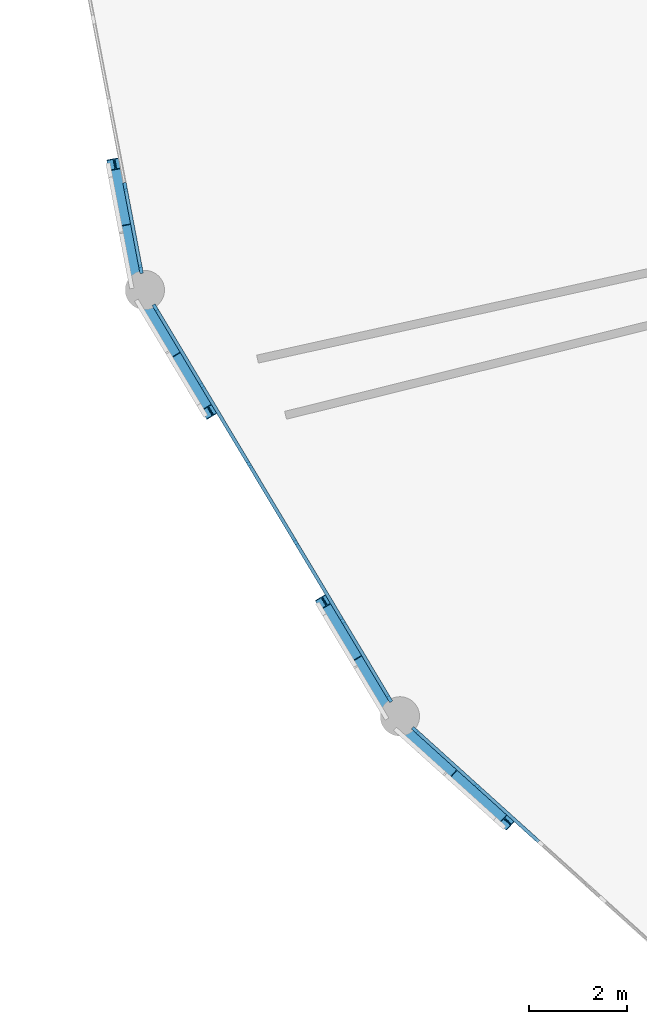
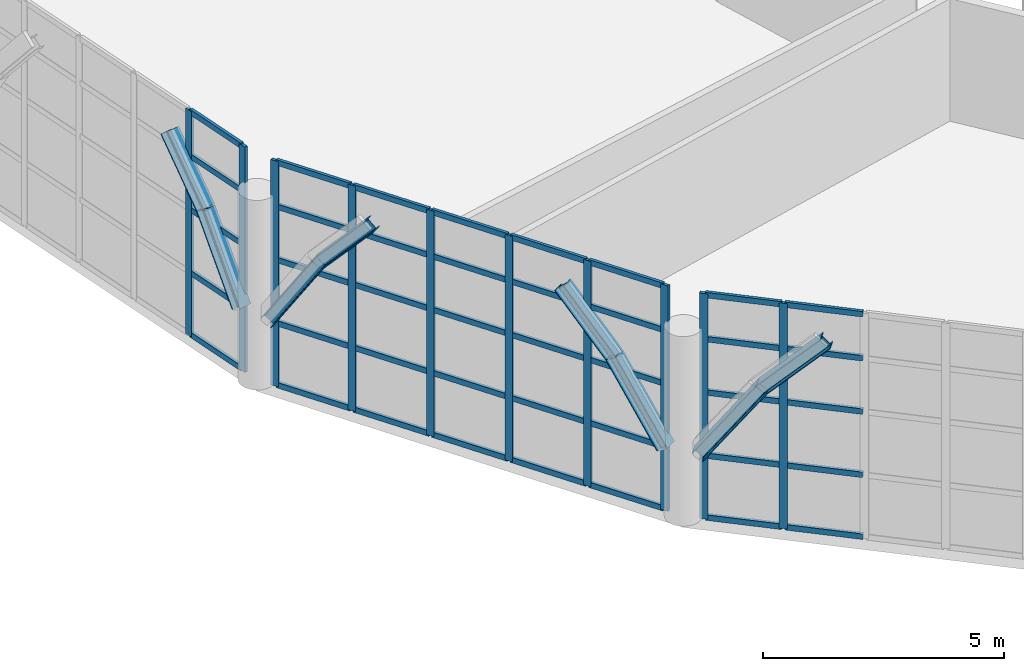
# One storey, part 34 of 109: 50 members, 8 beams, 3 elements without a shape of their own.
"""IFC4 building model written with IfcOpenShell, lengths in metres."""

from ifc_helpers import new_model, si_unit, direction, frame, origin, origin_2d, place, context, subcontext, project, spatial, rectangle, i_section, extrude, material, layer, layer_set, material_profile, profile_set, type_object, element, aggregate, save


model = new_model("IFC4")

# Units and contexts
model_context = context("Model", 3, precision=1e-05, world=origin(), true_north=direction((0.0, 1.0)))
body_context = subcontext(model_context, "Body", "Model", "MODEL_VIEW")
ifc_project = project(units=[si_unit("LENGTHUNIT", "METRE"), si_unit("AREAUNIT", "SQUARE_METRE"), si_unit("VOLUMEUNIT", "CUBIC_METRE"), si_unit("PLANEANGLEUNIT", "RADIAN"), si_unit("MASSUNIT", "GRAM", prefix="KILO")], contexts=[model_context])

# Site, building, storey
site_placement = place(None, origin())
site = spatial("IfcSite", under=ifc_project, at=site_placement, CompositionType="ELEMENT")
building_placement = place(site_placement, origin())
building = spatial("IfcBuilding", under=site, at=building_placement, Name="Kivolera Central Railway Station", CompositionType="ELEMENT")
storey_placement = place(building_placement, frame((0.0, 0.0, 9.60009765625)))
storey = spatial("IfcBuildingStorey", under=building, at=storey_placement, Name="L02", CompositionType="ELEMENT", Elevation=9.60009765625)

# Beams
ifc_material_1 = material(Name="Steel S355", Category="steel")
ifc_material_profile_1 = material_profile(ifc_material_1, i_section(OverallWidth=0.300048828125, OverallDepth=0.300048828125, WebThickness=0.010986328125, FlangeThickness=0.01904296875, FilletRadius=0.027099609375, at=origin_2d()), Name="HEB 300")
ifc_profile_set_1 = profile_set([ifc_material_profile_1], Name="Steel S355")
beam_type = type_object("IfcBeamType", Name="BM-LANT-ARCH", PredefinedType="SPANDREL", material=ifc_profile_set_1)
beam_1_placement = place(storey_placement, frame((13.162109375, 83.25, 4.9599609375), z_axis=(0.119952617801, -0.631126846872, -0.766348662581), x_axis=(0.982413455361, 0.186718512004, 0.0)))
element("IfcBeam", 1, at=beam_1_placement, inside=storey, type_object=beam_type, Name="Oval Lantern Structural Arch Rib 13.5", PredefinedType="SPANDREL", context=body_context, shape_type="SweptSolid", body=[
    extrude(i_section(OverallWidth=0.300048828125, OverallDepth=0.300048828125, WebThickness=0.010986328125, FlangeThickness=0.01904296875, FilletRadius=0.027099609375, at=origin_2d()), origin(), (0.0, 0.0, 1.0), 1.77490234375),
])
beam_2_placement = place(storey_placement, frame((13.375, 82.1298828125, 3.599853515625), z_axis=(0.096063916114, -0.505767705137, -0.857304352293), x_axis=(0.982435829995, 0.18660075011, 0.0)))
element("IfcBeam", 2, at=beam_2_placement, inside=storey, type_object=beam_type, Name="Oval Lantern Structural Arch Rib 13.6", PredefinedType="SPANDREL", context=body_context, shape_type="SweptSolid", body=[
    extrude(i_section(OverallWidth=0.300048828125, OverallDepth=0.300048828125, WebThickness=0.010986328125, FlangeThickness=0.01904296875, FilletRadius=0.027099609375, at=origin_2d()), origin(), (0.0, 0.0, 1.0), 2.216064453125),
])
beam_3_placement = place(storey_placement, frame((13.85107421875, 80.31689453125, 1.699951171875), z_axis=(0.277888129069, -0.464587463063, 0.840795264548), x_axis=(0.858196524113, 0.513321269772, 0.0)))
element("IfcBeam", 3, at=beam_3_placement, inside=storey, type_object=beam_type, Name="Oval Lantern Structural Arch Rib 14.1", PredefinedType="SPANDREL", context=body_context, shape_type="SweptSolid", body=[
    extrude(i_section(OverallWidth=0.300048828125, OverallDepth=0.300048828125, WebThickness=0.010986328125, FlangeThickness=0.01904296875, FilletRadius=0.027099609375, at=origin_2d()), origin(), (0.0, 0.0, 1.0), 2.259765625),
])
for number, where, z_axis, x_axis, name in (
    (4, (14.47900390625, 79.26708984375, 3.599853515625), (0.343344267824, -0.573619875132, 0.743690091776), (0.858038634745, 0.513585145116, 0.0), "Oval Lantern Structural Arch Rib 14.2"),
    (5, (17.426025390625, 74.342041015625, 4.9599609375), (0.343344267824, -0.573619875132, -0.743690091776), (0.858038634745, 0.513585145116, 0.0), "Oval Lantern Structural Arch Rib 14.5"),
):
    element("IfcBeam", number, at=place(storey_placement, frame(where, z_axis=z_axis, x_axis=x_axis)), inside=storey, type_object=beam_type, Name=name, PredefinedType="SPANDREL", context=body_context, shape_type="SweptSolid", body=[
        extrude(i_section(OverallWidth=0.300048828125, OverallDepth=0.300048828125, WebThickness=0.010986328125, FlangeThickness=0.01904296875, FilletRadius=0.027099609375, at=origin_2d()), origin(), (0.0, 0.0, 1.0), 1.828857421875),
    ])
beam_4_placement = place(storey_placement, frame((18.053955078125, 73.29296875, 3.599853515625), z_axis=(0.277874179709, -0.464672179987, -0.840753058512), x_axis=(0.858249099835, 0.513233360794, 0.0)))
element("IfcBeam", 6, at=beam_4_placement, inside=storey, type_object=beam_type, Name="Oval Lantern Structural Arch Rib 14.6", PredefinedType="SPANDREL", context=body_context, shape_type="SweptSolid", body=[
    extrude(i_section(OverallWidth=0.300048828125, OverallDepth=0.300048828125, WebThickness=0.010986328125, FlangeThickness=0.01904296875, FilletRadius=0.027099609375, at=origin_2d()), origin(), (0.0, 0.0, 1.0), 2.259765625),
])
beam_5_placement = place(storey_placement, frame((19.14990234375, 71.673095703125, 1.699951171875), z_axis=(0.431185404632, -0.388705114828, 0.814240431653), x_axis=(0.669571929078, 0.742747219309, 0.0)))
element("IfcBeam", 7, at=beam_5_placement, inside=storey, type_object=beam_type, Name="Oval Lantern Structural Arch Rib 15.1", PredefinedType="SPANDREL", context=body_context, shape_type="SweptSolid", body=[
    extrude(i_section(OverallWidth=0.300048828125, OverallDepth=0.300048828125, WebThickness=0.010986328125, FlangeThickness=0.01904296875, FilletRadius=0.027099609375, at=origin_2d()), origin(), (0.0, 0.0, 1.0), 2.333251953125),
])
beam_6_placement = place(storey_placement, frame((20.156005859375, 70.76611328125, 3.599853515625), z_axis=(0.52351035726, -0.473143471576, 0.708570505417), x_axis=(0.670516775803, 0.741894368065, 0.0)))
element("IfcBeam", 8, at=beam_6_placement, inside=storey, type_object=beam_type, Name="Oval Lantern Structural Arch Rib 15.2", PredefinedType="SPANDREL", context=body_context, shape_type="SweptSolid", body=[
    extrude(i_section(OverallWidth=0.300048828125, OverallDepth=0.300048828125, WebThickness=0.010986328125, FlangeThickness=0.01904296875, FilletRadius=0.027099609375, at=origin_2d()), origin(), (0.0, 0.0, 1.0), 1.91943359375),
])

# Curtain wall, members
ifc_material_2 = material(Name="Anodised aluminium", Category="aluminium")
ifc_layer_1 = layer(ifc_material_2, 0.179931640625, Name="Anodised aluminium")
ifc_layer_set_1 = layer_set([ifc_layer_1], Name="Anodised aluminium")
curtain_wall_type_1 = type_object("IfcCurtainWallType", Name="CW-SYS-15", PredefinedType="NOTDEFINED", material=ifc_layer_set_1)
curtain_wall_1_placement = place(storey_placement, origin())
curtain_wall_1 = element("IfcCurtainWall", 9, at=curtain_wall_1_placement, inside=storey, type_object=curtain_wall_type_1, Name="L02 Curtain Wall CW-L02-OVL-12", PredefinedType="NOTDEFINED")
ifc_material_profile_2 = material_profile(ifc_material_2, rectangle(XDim=0.070068359375, YDim=0.179931640625, at=origin_2d()), Name="ALU MULL 70x180")
ifc_profile_set_2 = profile_set([ifc_material_profile_2], Name="Anodised aluminium")
member_type_1 = type_object("IfcMemberType", Name="CWM-MUL-1", PredefinedType="MULLION", material=ifc_profile_set_2)
member_1_placement = place(storey_placement, frame((13.6904296875, 81.1103515625, -0.005126953125), z_axis=(0.0, 0.0, 1.0), x_axis=(-0.982401003624, -0.186784014515, 0.0)))
member_1 = element("IfcMember", 10, at=member_1_placement, type_object=member_type_1, Name="CW-15 mullion 1", PredefinedType="MULLION", context=body_context, shape_type="SweptSolid", body=[
    extrude(rectangle(XDim=0.070068359375, YDim=0.179931640625, at=origin_2d()), origin(), (0.0, 0.0, 1.0), 5.705078125),
])
member_2_placement = place(storey_placement, frame((13.37255859375, 82.7822265625, -0.005126953125), z_axis=(0.0, 0.0, 1.0), x_axis=(-0.982401003624, -0.186784014515, 0.0)))
member_2 = element("IfcMember", 11, at=member_2_placement, type_object=member_type_1, Name="CW-15 mullion 2", PredefinedType="MULLION", context=body_context, shape_type="SweptSolid", body=[
    extrude(rectangle(XDim=0.070068359375, YDim=0.179931640625, at=origin_2d()), origin(), (0.0, 0.0, 1.0), 5.705078125),
])

ifc_layer_2 = layer(ifc_material_2, 0.179931640625, Name="Anodised aluminium")
ifc_layer_set_2 = layer_set([ifc_layer_2], Name="Anodised aluminium")
curtain_wall_type_2 = type_object("IfcCurtainWallType", Name="CW-SYS-03", PredefinedType="NOTDEFINED", material=ifc_layer_set_2)
curtain_wall_2_placement = place(storey_placement, origin())
curtain_wall_2 = element("IfcCurtainWall", 12, at=curtain_wall_2_placement, inside=storey, type_object=curtain_wall_type_2, Name="L02 Curtain Wall CW-L02-OVL-13", PredefinedType="NOTDEFINED")
member_3_placement = place(storey_placement, frame((18.744140625, 72.373046875, -0.005126953125), z_axis=(0.0, 0.0, 1.0), x_axis=(-0.858117186396, -0.513453887327, 0.0)))
member_3 = element("IfcMember", 13, at=member_3_placement, type_object=member_type_1, Name="CW-03 mullion 1", PredefinedType="MULLION", context=body_context, shape_type="SweptSolid", body=[
    extrude(rectangle(XDim=0.070068359375, YDim=0.179931640625, at=origin_2d()), origin(), (0.0, 0.0, 1.0), 5.705078125),
])
member_4_placement = place(storey_placement, frame((17.804931640625, 73.9423828125, -0.005126953125), z_axis=(0.0, 0.0, 1.0), x_axis=(-0.858117186396, -0.513453887327, 0.0)))
member_4 = element("IfcMember", 14, at=member_4_placement, type_object=member_type_1, Name="CW-03 mullion 2", PredefinedType="MULLION", context=body_context, shape_type="SweptSolid", body=[
    extrude(rectangle(XDim=0.070068359375, YDim=0.179931640625, at=origin_2d()), origin(), (0.0, 0.0, 1.0), 5.705078125),
])
member_5_placement = place(storey_placement, frame((16.847900390625, 75.541748046875, -0.005126953125), z_axis=(0.0, 0.0, 1.0), x_axis=(-0.858117186396, -0.513453887327, 0.0)))
member_5 = element("IfcMember", 15, at=member_5_placement, type_object=member_type_1, Name="CW-03 mullion 3", PredefinedType="MULLION", context=body_context, shape_type="SweptSolid", body=[
    extrude(rectangle(XDim=0.070068359375, YDim=0.179931640625, at=origin_2d()), origin(), (0.0, 0.0, 1.0), 5.705078125),
])
member_6_placement = place(storey_placement, frame((15.89111328125, 77.14111328125, -0.005126953125), z_axis=(0.0, 0.0, 1.0), x_axis=(-0.858117186396, -0.513453887327, 0.0)))
member_6 = element("IfcMember", 16, at=member_6_placement, type_object=member_type_1, Name="CW-03 mullion 4", PredefinedType="MULLION", context=body_context, shape_type="SweptSolid", body=[
    extrude(rectangle(XDim=0.070068359375, YDim=0.179931640625, at=origin_2d()), origin(), (0.0, 0.0, 1.0), 5.705078125),
])
member_7_placement = place(storey_placement, frame((14.93408203125, 78.740478515625, -0.005126953125), z_axis=(0.0, 0.0, 1.0), x_axis=(-0.858117186396, -0.513453887327, 0.0)))
member_7 = element("IfcMember", 17, at=member_7_placement, type_object=member_type_1, Name="CW-03 mullion 5", PredefinedType="MULLION", context=body_context, shape_type="SweptSolid", body=[
    extrude(rectangle(XDim=0.070068359375, YDim=0.179931640625, at=origin_2d()), origin(), (0.0, 0.0, 1.0), 5.705078125),
])
member_8_placement = place(storey_placement, frame((13.994873046875, 80.31005859375, -0.005126953125), z_axis=(0.0, 0.0, 1.0), x_axis=(-0.858117186396, -0.513453887327, 0.0)))
member_8 = element("IfcMember", 18, at=member_8_placement, type_object=member_type_1, Name="CW-03 mullion 6", PredefinedType="MULLION", context=body_context, shape_type="SweptSolid", body=[
    extrude(rectangle(XDim=0.070068359375, YDim=0.179931640625, at=origin_2d()), origin(), (0.0, 0.0, 1.0), 5.705078125),
])

ifc_layer_3 = layer(ifc_material_2, 0.179931640625, Name="Anodised aluminium")
ifc_layer_set_3 = layer_set([ifc_layer_3], Name="Anodised aluminium")
curtain_wall_type_3 = type_object("IfcCurtainWallType", Name="CW-SYS-06", PredefinedType="NOTDEFINED", material=ifc_layer_set_3)
curtain_wall_3_placement = place(storey_placement, origin())
curtain_wall_3 = element("IfcCurtainWall", 19, at=curtain_wall_3_placement, inside=storey, type_object=curtain_wall_type_3, Name="L02 Curtain Wall CW-L02-OVL-14", PredefinedType="NOTDEFINED")
member_9_placement = place(storey_placement, frame((20.542236328125, 70.57861328125, -0.005126953125), z_axis=(0.0, 0.0, 1.0), x_axis=(-0.66992157428, -0.742431871833, 0.0)))
member_9 = element("IfcMember", 20, at=member_9_placement, type_object=member_type_1, Name="CW-06 mullion 6", PredefinedType="MULLION", context=body_context, shape_type="SweptSolid", body=[
    extrude(rectangle(XDim=0.070068359375, YDim=0.179931640625, at=origin_2d()), origin(), (0.0, 0.0, 1.0), 5.705078125),
])
member_10_placement = place(storey_placement, frame((19.2900390625, 71.70849609375, -0.005126953125), z_axis=(0.0, 0.0, 1.0), x_axis=(-0.66992157428, -0.742431871833, 0.0)))
member_10 = element("IfcMember", 21, at=member_10_placement, type_object=member_type_1, Name="CW-06 mullion 7", PredefinedType="MULLION", context=body_context, shape_type="SweptSolid", body=[
    extrude(rectangle(XDim=0.070068359375, YDim=0.179931640625, at=origin_2d()), origin(), (0.0, 0.0, 1.0), 5.705078125),
])

# Member
ifc_material_profile_3 = material_profile(ifc_material_2, rectangle(XDim=0.070068359375, YDim=0.139892578125, at=origin_2d()), Name="ALU TRAN 70x140")
ifc_profile_set_3 = profile_set([ifc_material_profile_3], Name="Anodised aluminium")
member_type_2 = type_object("IfcMemberType", Name="CWM-TRN-1", PredefinedType="USERDEFINED", material=ifc_profile_set_3)
member_11_placement = place(storey_placement, frame((13.683837890625, 81.144775390625, 0.034912109375), z_axis=(-0.186727073043, 0.982411828203, 0.0), x_axis=(-0.982411828203, -0.186727073043, 0.0)))
member_11 = element("IfcMember", 22, at=member_11_placement, type_object=member_type_2, Name="CW-15 transom 1.1", ObjectType="TRANSOM", PredefinedType="USERDEFINED", context=body_context, shape_type="SweptSolid", body=[
    extrude(rectangle(XDim=0.070068359375, YDim=0.139892578125, at=origin_2d()), origin(), (0.0, 0.0, 1.0), 1.6318359375),
])

member_12_placement = place(storey_placement, frame((13.683837890625, 81.144775390625, 1.599853515625), z_axis=(-0.186727073043, 0.982411828203, 0.0), x_axis=(-0.982411828203, -0.186727073043, 0.0)))
member_12 = element("IfcMember", 23, at=member_12_placement, type_object=member_type_2, Name="CW-15 transom 1.2", ObjectType="TRANSOM", PredefinedType="USERDEFINED", context=body_context, shape_type="SweptSolid", body=[
    extrude(rectangle(XDim=0.070068359375, YDim=0.139892578125, at=origin_2d()), origin(), (0.0, 0.0, 1.0), 1.6318359375),
])

member_13_placement = place(storey_placement, frame((13.683837890625, 81.144775390625, 3.199951171875), z_axis=(-0.186727073043, 0.982411828203, 0.0), x_axis=(-0.982411828203, -0.186727073043, 0.0)))
member_13 = element("IfcMember", 24, at=member_13_placement, type_object=member_type_2, Name="CW-15 transom 1.3", ObjectType="TRANSOM", PredefinedType="USERDEFINED", context=body_context, shape_type="SweptSolid", body=[
    extrude(rectangle(XDim=0.070068359375, YDim=0.139892578125, at=origin_2d()), origin(), (0.0, 0.0, 1.0), 1.6318359375),
])

member_14_placement = place(storey_placement, frame((13.683837890625, 81.144775390625, 4.5498046875), z_axis=(-0.186727073043, 0.982411828203, 0.0), x_axis=(-0.982411828203, -0.186727073043, 0.0)))
member_14 = element("IfcMember", 25, at=member_14_placement, type_object=member_type_2, Name="CW-15 transom 1.4", ObjectType="TRANSOM", PredefinedType="USERDEFINED", context=body_context, shape_type="SweptSolid", body=[
    extrude(rectangle(XDim=0.070068359375, YDim=0.139892578125, at=origin_2d()), origin(), (0.0, 0.0, 1.0), 1.6318359375),
])

member_15_placement = place(storey_placement, frame((13.683837890625, 81.144775390625, 5.664794921875), z_axis=(-0.186727073043, 0.982411828203, 0.0), x_axis=(-0.982411828203, -0.186727073043, 0.0)))
member_15 = element("IfcMember", 26, at=member_15_placement, type_object=member_type_2, Name="CW-15 transom 1.5", ObjectType="TRANSOM", PredefinedType="USERDEFINED", context=body_context, shape_type="SweptSolid", body=[
    extrude(rectangle(XDim=0.070068359375, YDim=0.139892578125, at=origin_2d()), origin(), (0.0, 0.0, 1.0), 1.6318359375),
])

aggregate(curtain_wall_1, [member_1, member_2, member_11, member_12, member_13, member_14, member_15])

member_16_placement = place(storey_placement, frame((18.72607421875, 72.403076171875, 0.034912109375), z_axis=(-0.513454309114, 0.85811693402, 0.0), x_axis=(-0.85811693402, -0.513454309114, 0.0)))
member_16 = element("IfcMember", 27, at=member_16_placement, type_object=member_type_2, Name="CW-03 transom 1.1", ObjectType="TRANSOM", PredefinedType="USERDEFINED", context=body_context, shape_type="SweptSolid", body=[
    extrude(rectangle(XDim=0.070068359375, YDim=0.139892578125, at=origin_2d()), origin(), (0.0, 0.0, 1.0), 1.7587890625),
])

member_17_placement = place(storey_placement, frame((18.72607421875, 72.403076171875, 1.599853515625), z_axis=(-0.513454309114, 0.85811693402, 0.0), x_axis=(-0.85811693402, -0.513454309114, 0.0)))
member_17 = element("IfcMember", 28, at=member_17_placement, type_object=member_type_2, Name="CW-03 transom 1.2", ObjectType="TRANSOM", PredefinedType="USERDEFINED", context=body_context, shape_type="SweptSolid", body=[
    extrude(rectangle(XDim=0.070068359375, YDim=0.139892578125, at=origin_2d()), origin(), (0.0, 0.0, 1.0), 1.7587890625),
])

member_18_placement = place(storey_placement, frame((18.72607421875, 72.403076171875, 3.199951171875), z_axis=(-0.513454309114, 0.85811693402, 0.0), x_axis=(-0.85811693402, -0.513454309114, 0.0)))
member_18 = element("IfcMember", 29, at=member_18_placement, type_object=member_type_2, Name="CW-03 transom 1.3", ObjectType="TRANSOM", PredefinedType="USERDEFINED", context=body_context, shape_type="SweptSolid", body=[
    extrude(rectangle(XDim=0.070068359375, YDim=0.139892578125, at=origin_2d()), origin(), (0.0, 0.0, 1.0), 1.7587890625),
])

member_19_placement = place(storey_placement, frame((18.72607421875, 72.403076171875, 4.5498046875), z_axis=(-0.513454309114, 0.85811693402, 0.0), x_axis=(-0.85811693402, -0.513454309114, 0.0)))
member_19 = element("IfcMember", 30, at=member_19_placement, type_object=member_type_2, Name="CW-03 transom 1.4", ObjectType="TRANSOM", PredefinedType="USERDEFINED", context=body_context, shape_type="SweptSolid", body=[
    extrude(rectangle(XDim=0.070068359375, YDim=0.139892578125, at=origin_2d()), origin(), (0.0, 0.0, 1.0), 1.7587890625),
])

member_20_placement = place(storey_placement, frame((18.72607421875, 72.403076171875, 5.664794921875), z_axis=(-0.513454309114, 0.85811693402, 0.0), x_axis=(-0.85811693402, -0.513454309114, 0.0)))
member_20 = element("IfcMember", 31, at=member_20_placement, type_object=member_type_2, Name="CW-03 transom 1.5", ObjectType="TRANSOM", PredefinedType="USERDEFINED", context=body_context, shape_type="SweptSolid", body=[
    extrude(rectangle(XDim=0.070068359375, YDim=0.139892578125, at=origin_2d()), origin(), (0.0, 0.0, 1.0), 1.7587890625),
])

member_21_placement = place(storey_placement, frame((17.787109375, 73.972412109375, 0.034912109375), z_axis=(-0.513494690452, 0.858092770554, 0.0), x_axis=(-0.858092770554, -0.513494690452, 0.0)))
member_21 = element("IfcMember", 32, at=member_21_placement, type_object=member_type_2, Name="CW-03 transom 2.1", ObjectType="TRANSOM", PredefinedType="USERDEFINED", context=body_context, shape_type="SweptSolid", body=[
    extrude(rectangle(XDim=0.070068359375, YDim=0.139892578125, at=origin_2d()), origin(), (0.0, 0.0, 1.0), 1.7939453125),
])

member_22_placement = place(storey_placement, frame((17.787109375, 73.972412109375, 1.599853515625), z_axis=(-0.513494690452, 0.858092770554, 0.0), x_axis=(-0.858092770554, -0.513494690452, 0.0)))
member_22 = element("IfcMember", 33, at=member_22_placement, type_object=member_type_2, Name="CW-03 transom 2.2", ObjectType="TRANSOM", PredefinedType="USERDEFINED", context=body_context, shape_type="SweptSolid", body=[
    extrude(rectangle(XDim=0.070068359375, YDim=0.139892578125, at=origin_2d()), origin(), (0.0, 0.0, 1.0), 1.7939453125),
])

member_23_placement = place(storey_placement, frame((17.787109375, 73.972412109375, 3.199951171875), z_axis=(-0.513494690452, 0.858092770554, 0.0), x_axis=(-0.858092770554, -0.513494690452, 0.0)))
member_23 = element("IfcMember", 34, at=member_23_placement, type_object=member_type_2, Name="CW-03 transom 2.3", ObjectType="TRANSOM", PredefinedType="USERDEFINED", context=body_context, shape_type="SweptSolid", body=[
    extrude(rectangle(XDim=0.070068359375, YDim=0.139892578125, at=origin_2d()), origin(), (0.0, 0.0, 1.0), 1.7939453125),
])

member_24_placement = place(storey_placement, frame((17.787109375, 73.972412109375, 4.5498046875), z_axis=(-0.513494690452, 0.858092770554, 0.0), x_axis=(-0.858092770554, -0.513494690452, 0.0)))
member_24 = element("IfcMember", 35, at=member_24_placement, type_object=member_type_2, Name="CW-03 transom 2.4", ObjectType="TRANSOM", PredefinedType="USERDEFINED", context=body_context, shape_type="SweptSolid", body=[
    extrude(rectangle(XDim=0.070068359375, YDim=0.139892578125, at=origin_2d()), origin(), (0.0, 0.0, 1.0), 1.7939453125),
])

member_25_placement = place(storey_placement, frame((17.787109375, 73.972412109375, 5.664794921875), z_axis=(-0.513494690452, 0.858092770554, 0.0), x_axis=(-0.858092770554, -0.513494690452, 0.0)))
member_25 = element("IfcMember", 36, at=member_25_placement, type_object=member_type_2, Name="CW-03 transom 2.5", ObjectType="TRANSOM", PredefinedType="USERDEFINED", context=body_context, shape_type="SweptSolid", body=[
    extrude(rectangle(XDim=0.070068359375, YDim=0.139892578125, at=origin_2d()), origin(), (0.0, 0.0, 1.0), 1.7939453125),
])

member_26_placement = place(storey_placement, frame((16.830078125, 75.57177734375, 0.034912109375), z_axis=(-0.513494690452, 0.858092770554, 0.0), x_axis=(-0.858092770554, -0.513494690452, 0.0)))
member_26 = element("IfcMember", 37, at=member_26_placement, type_object=member_type_2, Name="CW-03 transom 3.1", ObjectType="TRANSOM", PredefinedType="USERDEFINED", context=body_context, shape_type="SweptSolid", body=[
    extrude(rectangle(XDim=0.070068359375, YDim=0.139892578125, at=origin_2d()), origin(), (0.0, 0.0, 1.0), 1.7939453125),
])

member_27_placement = place(storey_placement, frame((16.830078125, 75.57177734375, 1.599853515625), z_axis=(-0.513494690452, 0.858092770554, 0.0), x_axis=(-0.858092770554, -0.513494690452, 0.0)))
member_27 = element("IfcMember", 38, at=member_27_placement, type_object=member_type_2, Name="CW-03 transom 3.2", ObjectType="TRANSOM", PredefinedType="USERDEFINED", context=body_context, shape_type="SweptSolid", body=[
    extrude(rectangle(XDim=0.070068359375, YDim=0.139892578125, at=origin_2d()), origin(), (0.0, 0.0, 1.0), 1.7939453125),
])

member_28_placement = place(storey_placement, frame((16.830078125, 75.57177734375, 3.199951171875), z_axis=(-0.513494690452, 0.858092770554, 0.0), x_axis=(-0.858092770554, -0.513494690452, 0.0)))
member_28 = element("IfcMember", 39, at=member_28_placement, type_object=member_type_2, Name="CW-03 transom 3.3", ObjectType="TRANSOM", PredefinedType="USERDEFINED", context=body_context, shape_type="SweptSolid", body=[
    extrude(rectangle(XDim=0.070068359375, YDim=0.139892578125, at=origin_2d()), origin(), (0.0, 0.0, 1.0), 1.7939453125),
])

member_29_placement = place(storey_placement, frame((16.830078125, 75.57177734375, 4.5498046875), z_axis=(-0.513494690452, 0.858092770554, 0.0), x_axis=(-0.858092770554, -0.513494690452, 0.0)))
member_29 = element("IfcMember", 40, at=member_29_placement, type_object=member_type_2, Name="CW-03 transom 3.4", ObjectType="TRANSOM", PredefinedType="USERDEFINED", context=body_context, shape_type="SweptSolid", body=[
    extrude(rectangle(XDim=0.070068359375, YDim=0.139892578125, at=origin_2d()), origin(), (0.0, 0.0, 1.0), 1.7939453125),
])

member_30_placement = place(storey_placement, frame((16.830078125, 75.57177734375, 5.664794921875), z_axis=(-0.513494690452, 0.858092770554, 0.0), x_axis=(-0.858092770554, -0.513494690452, 0.0)))
member_30 = element("IfcMember", 41, at=member_30_placement, type_object=member_type_2, Name="CW-03 transom 3.5", ObjectType="TRANSOM", PredefinedType="USERDEFINED", context=body_context, shape_type="SweptSolid", body=[
    extrude(rectangle(XDim=0.070068359375, YDim=0.139892578125, at=origin_2d()), origin(), (0.0, 0.0, 1.0), 1.7939453125),
])

member_31_placement = place(storey_placement, frame((15.873046875, 77.171142578125, 0.034912109375), z_axis=(-0.513494690452, 0.858092770554, 0.0), x_axis=(-0.858092770554, -0.513494690452, 0.0)))
member_31 = element("IfcMember", 42, at=member_31_placement, type_object=member_type_2, Name="CW-03 transom 4.1", ObjectType="TRANSOM", PredefinedType="USERDEFINED", context=body_context, shape_type="SweptSolid", body=[
    extrude(rectangle(XDim=0.070068359375, YDim=0.139892578125, at=origin_2d()), origin(), (0.0, 0.0, 1.0), 1.7939453125),
])

member_32_placement = place(storey_placement, frame((15.873046875, 77.171142578125, 1.599853515625), z_axis=(-0.513494690452, 0.858092770554, 0.0), x_axis=(-0.858092770554, -0.513494690452, 0.0)))
member_32 = element("IfcMember", 43, at=member_32_placement, type_object=member_type_2, Name="CW-03 transom 4.2", ObjectType="TRANSOM", PredefinedType="USERDEFINED", context=body_context, shape_type="SweptSolid", body=[
    extrude(rectangle(XDim=0.070068359375, YDim=0.139892578125, at=origin_2d()), origin(), (0.0, 0.0, 1.0), 1.7939453125),
])

member_33_placement = place(storey_placement, frame((15.873046875, 77.171142578125, 3.199951171875), z_axis=(-0.513494690452, 0.858092770554, 0.0), x_axis=(-0.858092770554, -0.513494690452, 0.0)))
member_33 = element("IfcMember", 44, at=member_33_placement, type_object=member_type_2, Name="CW-03 transom 4.3", ObjectType="TRANSOM", PredefinedType="USERDEFINED", context=body_context, shape_type="SweptSolid", body=[
    extrude(rectangle(XDim=0.070068359375, YDim=0.139892578125, at=origin_2d()), origin(), (0.0, 0.0, 1.0), 1.7939453125),
])

member_34_placement = place(storey_placement, frame((15.873046875, 77.171142578125, 4.5498046875), z_axis=(-0.513494690452, 0.858092770554, 0.0), x_axis=(-0.858092770554, -0.513494690452, 0.0)))
member_34 = element("IfcMember", 45, at=member_34_placement, type_object=member_type_2, Name="CW-03 transom 4.4", ObjectType="TRANSOM", PredefinedType="USERDEFINED", context=body_context, shape_type="SweptSolid", body=[
    extrude(rectangle(XDim=0.070068359375, YDim=0.139892578125, at=origin_2d()), origin(), (0.0, 0.0, 1.0), 1.7939453125),
])

member_35_placement = place(storey_placement, frame((15.873046875, 77.171142578125, 5.664794921875), z_axis=(-0.513494690452, 0.858092770554, 0.0), x_axis=(-0.858092770554, -0.513494690452, 0.0)))
member_35 = element("IfcMember", 46, at=member_35_placement, type_object=member_type_2, Name="CW-03 transom 4.5", ObjectType="TRANSOM", PredefinedType="USERDEFINED", context=body_context, shape_type="SweptSolid", body=[
    extrude(rectangle(XDim=0.070068359375, YDim=0.139892578125, at=origin_2d()), origin(), (0.0, 0.0, 1.0), 1.7939453125),
])

member_36_placement = place(storey_placement, frame((14.916015625, 78.770751953125, 0.034912109375), z_axis=(-0.513454309114, 0.85811693402, 0.0), x_axis=(-0.85811693402, -0.513454309114, 0.0)))
member_36 = element("IfcMember", 47, at=member_36_placement, type_object=member_type_2, Name="CW-03 transom 5.1", ObjectType="TRANSOM", PredefinedType="USERDEFINED", context=body_context, shape_type="SweptSolid", body=[
    extrude(rectangle(XDim=0.070068359375, YDim=0.139892578125, at=origin_2d()), origin(), (0.0, 0.0, 1.0), 1.7587890625),
])

member_37_placement = place(storey_placement, frame((14.916015625, 78.770751953125, 1.599853515625), z_axis=(-0.513454309114, 0.85811693402, 0.0), x_axis=(-0.85811693402, -0.513454309114, 0.0)))
member_37 = element("IfcMember", 48, at=member_37_placement, type_object=member_type_2, Name="CW-03 transom 5.2", ObjectType="TRANSOM", PredefinedType="USERDEFINED", context=body_context, shape_type="SweptSolid", body=[
    extrude(rectangle(XDim=0.070068359375, YDim=0.139892578125, at=origin_2d()), origin(), (0.0, 0.0, 1.0), 1.7587890625),
])

member_38_placement = place(storey_placement, frame((14.916015625, 78.770751953125, 3.199951171875), z_axis=(-0.513454309114, 0.85811693402, 0.0), x_axis=(-0.85811693402, -0.513454309114, 0.0)))
member_38 = element("IfcMember", 49, at=member_38_placement, type_object=member_type_2, Name="CW-03 transom 5.3", ObjectType="TRANSOM", PredefinedType="USERDEFINED", context=body_context, shape_type="SweptSolid", body=[
    extrude(rectangle(XDim=0.070068359375, YDim=0.139892578125, at=origin_2d()), origin(), (0.0, 0.0, 1.0), 1.7587890625),
])

member_39_placement = place(storey_placement, frame((14.916015625, 78.770751953125, 4.5498046875), z_axis=(-0.513454309114, 0.85811693402, 0.0), x_axis=(-0.85811693402, -0.513454309114, 0.0)))
member_39 = element("IfcMember", 50, at=member_39_placement, type_object=member_type_2, Name="CW-03 transom 5.4", ObjectType="TRANSOM", PredefinedType="USERDEFINED", context=body_context, shape_type="SweptSolid", body=[
    extrude(rectangle(XDim=0.070068359375, YDim=0.139892578125, at=origin_2d()), origin(), (0.0, 0.0, 1.0), 1.7587890625),
])

member_40_placement = place(storey_placement, frame((14.916015625, 78.770751953125, 5.664794921875), z_axis=(-0.513454309114, 0.85811693402, 0.0), x_axis=(-0.85811693402, -0.513454309114, 0.0)))
member_40 = element("IfcMember", 51, at=member_40_placement, type_object=member_type_2, Name="CW-03 transom 5.5", ObjectType="TRANSOM", PredefinedType="USERDEFINED", context=body_context, shape_type="SweptSolid", body=[
    extrude(rectangle(XDim=0.070068359375, YDim=0.139892578125, at=origin_2d()), origin(), (0.0, 0.0, 1.0), 1.7587890625),
])

aggregate(curtain_wall_2, [member_3, member_4, member_5, member_6, member_7, member_8, member_16, member_17, member_18, member_19, member_20, member_21, member_22, member_23, member_24, member_25, member_26, member_27, member_28, member_29, member_30, member_31, member_32, member_33, member_34, member_35, member_36, member_37, member_38, member_39, member_40])

member_41_placement = place(storey_placement, frame((21.79443359375, 69.44873046875, 0.034912109375), z_axis=(-0.74246304586, 0.669887024455, 0.0), x_axis=(-0.669887024455, -0.74246304586, 0.0)))
member_41 = element("IfcMember", 52, at=member_41_placement, type_object=member_type_2, Name="CW-06 transom 5.1", ObjectType="TRANSOM", PredefinedType="USERDEFINED", context=body_context, shape_type="SweptSolid", body=[
    extrude(rectangle(XDim=0.070068359375, YDim=0.139892578125, at=origin_2d()), origin(), (0.0, 0.0, 1.0), 1.651611328125),
])

member_42_placement = place(storey_placement, frame((21.79443359375, 69.44873046875, 1.599853515625), z_axis=(-0.74246304586, 0.669887024455, 0.0), x_axis=(-0.669887024455, -0.74246304586, 0.0)))
member_42 = element("IfcMember", 53, at=member_42_placement, type_object=member_type_2, Name="CW-06 transom 5.2", ObjectType="TRANSOM", PredefinedType="USERDEFINED", context=body_context, shape_type="SweptSolid", body=[
    extrude(rectangle(XDim=0.070068359375, YDim=0.139892578125, at=origin_2d()), origin(), (0.0, 0.0, 1.0), 1.651611328125),
])

member_43_placement = place(storey_placement, frame((21.79443359375, 69.44873046875, 3.199951171875), z_axis=(-0.74246304586, 0.669887024455, 0.0), x_axis=(-0.669887024455, -0.74246304586, 0.0)))
member_43 = element("IfcMember", 54, at=member_43_placement, type_object=member_type_2, Name="CW-06 transom 5.3", ObjectType="TRANSOM", PredefinedType="USERDEFINED", context=body_context, shape_type="SweptSolid", body=[
    extrude(rectangle(XDim=0.070068359375, YDim=0.139892578125, at=origin_2d()), origin(), (0.0, 0.0, 1.0), 1.651611328125),
])

member_44_placement = place(storey_placement, frame((21.79443359375, 69.44873046875, 4.5498046875), z_axis=(-0.74246304586, 0.669887024455, 0.0), x_axis=(-0.669887024455, -0.74246304586, 0.0)))
member_44 = element("IfcMember", 55, at=member_44_placement, type_object=member_type_2, Name="CW-06 transom 5.4", ObjectType="TRANSOM", PredefinedType="USERDEFINED", context=body_context, shape_type="SweptSolid", body=[
    extrude(rectangle(XDim=0.070068359375, YDim=0.139892578125, at=origin_2d()), origin(), (0.0, 0.0, 1.0), 1.651611328125),
])

member_45_placement = place(storey_placement, frame((21.79443359375, 69.44873046875, 5.664794921875), z_axis=(-0.74246304586, 0.669887024455, 0.0), x_axis=(-0.669887024455, -0.74246304586, 0.0)))
member_45 = element("IfcMember", 56, at=member_45_placement, type_object=member_type_2, Name="CW-06 transom 5.5", ObjectType="TRANSOM", PredefinedType="USERDEFINED", context=body_context, shape_type="SweptSolid", body=[
    extrude(rectangle(XDim=0.070068359375, YDim=0.139892578125, at=origin_2d()), origin(), (0.0, 0.0, 1.0), 1.651611328125),
])

member_46_placement = place(storey_placement, frame((20.51611328125, 70.60205078125, 0.034912109375), z_axis=(-0.742422429893, 0.66993203804, 0.0), x_axis=(-0.66993203804, -0.742422429893, 0.0)))
member_46 = element("IfcMember", 57, at=member_46_placement, type_object=member_type_2, Name="CW-06 transom 6.1", ObjectType="TRANSOM", PredefinedType="USERDEFINED", context=body_context, shape_type="SweptSolid", body=[
    extrude(rectangle(XDim=0.070068359375, YDim=0.139892578125, at=origin_2d()), origin(), (0.0, 0.0, 1.0), 1.61669921875),
])

member_47_placement = place(storey_placement, frame((20.51611328125, 70.60205078125, 1.599853515625), z_axis=(-0.742422429893, 0.66993203804, 0.0), x_axis=(-0.66993203804, -0.742422429893, 0.0)))
member_47 = element("IfcMember", 58, at=member_47_placement, type_object=member_type_2, Name="CW-06 transom 6.2", ObjectType="TRANSOM", PredefinedType="USERDEFINED", context=body_context, shape_type="SweptSolid", body=[
    extrude(rectangle(XDim=0.070068359375, YDim=0.139892578125, at=origin_2d()), origin(), (0.0, 0.0, 1.0), 1.61669921875),
])

member_48_placement = place(storey_placement, frame((20.51611328125, 70.60205078125, 3.199951171875), z_axis=(-0.742422429893, 0.66993203804, 0.0), x_axis=(-0.66993203804, -0.742422429893, 0.0)))
member_48 = element("IfcMember", 59, at=member_48_placement, type_object=member_type_2, Name="CW-06 transom 6.3", ObjectType="TRANSOM", PredefinedType="USERDEFINED", context=body_context, shape_type="SweptSolid", body=[
    extrude(rectangle(XDim=0.070068359375, YDim=0.139892578125, at=origin_2d()), origin(), (0.0, 0.0, 1.0), 1.61669921875),
])

member_49_placement = place(storey_placement, frame((20.51611328125, 70.60205078125, 4.5498046875), z_axis=(-0.742422429893, 0.66993203804, 0.0), x_axis=(-0.66993203804, -0.742422429893, 0.0)))
member_49 = element("IfcMember", 60, at=member_49_placement, type_object=member_type_2, Name="CW-06 transom 6.4", ObjectType="TRANSOM", PredefinedType="USERDEFINED", context=body_context, shape_type="SweptSolid", body=[
    extrude(rectangle(XDim=0.070068359375, YDim=0.139892578125, at=origin_2d()), origin(), (0.0, 0.0, 1.0), 1.61669921875),
])

member_50_placement = place(storey_placement, frame((20.51611328125, 70.60205078125, 5.664794921875), z_axis=(-0.742422429893, 0.66993203804, 0.0), x_axis=(-0.66993203804, -0.742422429893, 0.0)))
member_50 = element("IfcMember", 61, at=member_50_placement, type_object=member_type_2, Name="CW-06 transom 6.5", ObjectType="TRANSOM", PredefinedType="USERDEFINED", context=body_context, shape_type="SweptSolid", body=[
    extrude(rectangle(XDim=0.070068359375, YDim=0.139892578125, at=origin_2d()), origin(), (0.0, 0.0, 1.0), 1.61669921875),
])

aggregate(curtain_wall_3, [member_9, member_10, member_41, member_42, member_43, member_44, member_45, member_46, member_47, member_48, member_49, member_50])

save(model, "model.ifc")
